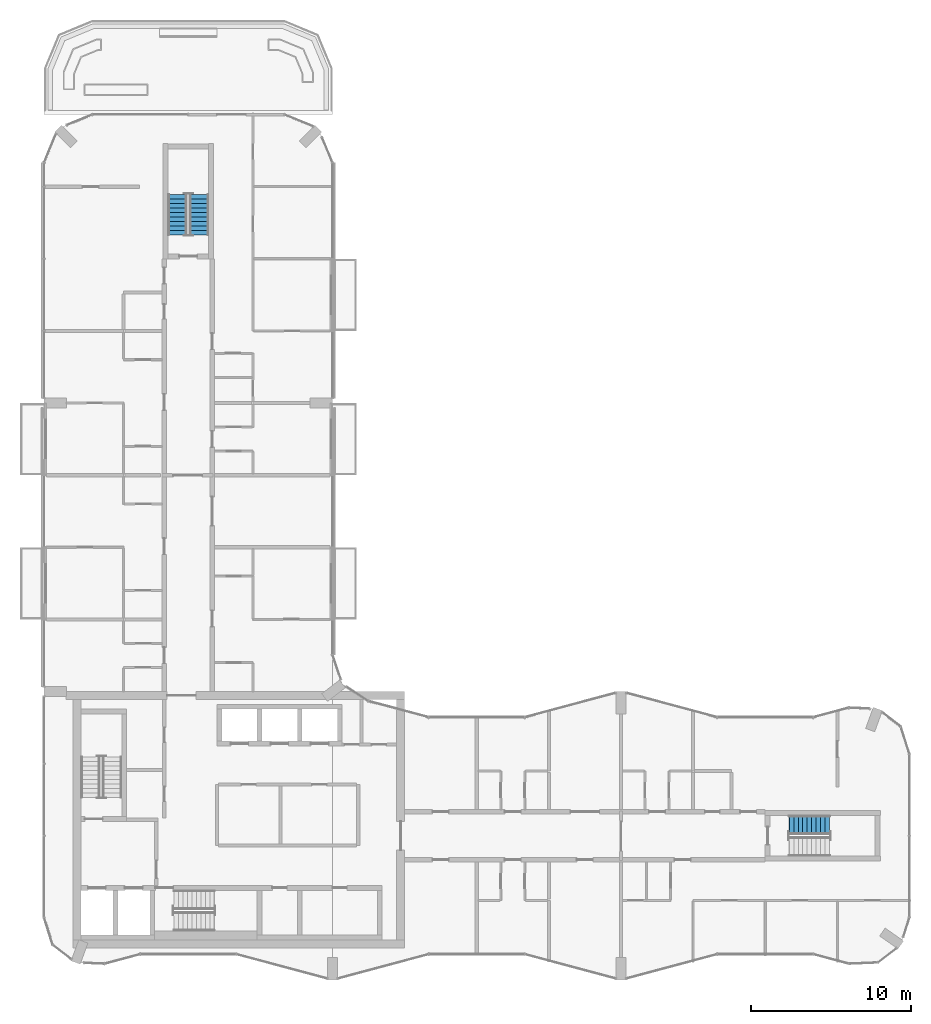
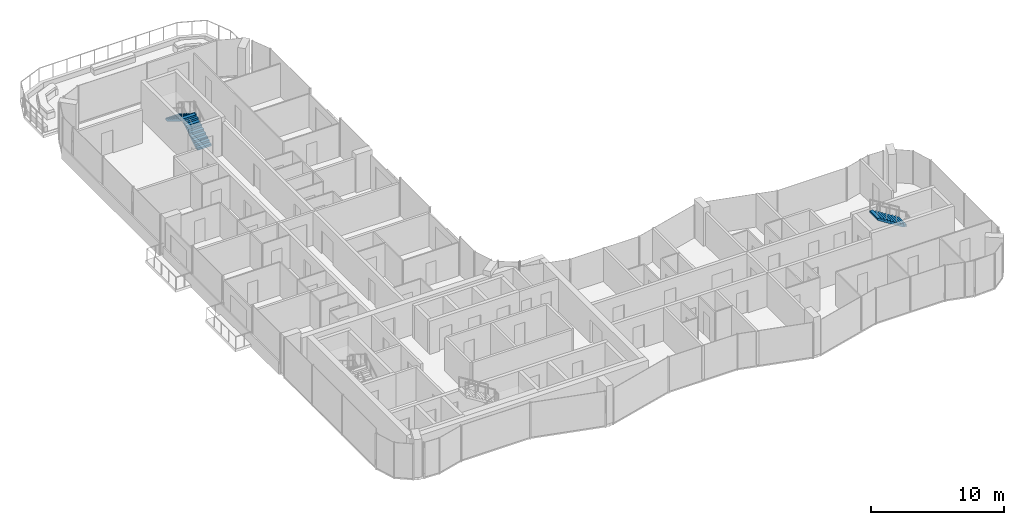
# One storey, part 14 of 17: 3 stair flights, 2 elements without a shape of their own.
"""IFC4 building model written with IfcOpenShell, lengths in metres."""

import ifcopenshell
import ifcopenshell.guid

model = None  # the IFC model being written
_history = None  # IfcOwnerHistory: only IFC2X3 demands one
_inside = {}  # id of a spatial element -> (the spatial element, [elements in it])
_under = {}  # id of a project, library or spatial element -> (it, [spatial elements below it])
_declared = {}  # id of a project -> (the project, [libraries it declares])
_typed = {}  # id of a type object -> (the type object, [elements of that type])
_made_of = {}  # id of a material, layer set ... -> (it, [elements and type objects made of it])


def new_model(schema):
    """Start an empty IFC model of exactly this schema.

    Asked for "IFC4X3", IfcOpenShell would pick the latest addendum, in which some entities
    have other attributes; the version numbers below select the first issue.
    IFC2X3 requires an IfcOwnerHistory on every rooted entity: one is made here for all.
    """
    global model, _history
    if schema == "IFC4X3":
        model = ifcopenshell.file(schema_version=(4, 3, 0, 0))
    else:
        model = ifcopenshell.file(schema=schema)
    _inside.clear()
    _under.clear()
    _declared.clear()
    _typed.clear()
    _made_of.clear()
    _history = None
    if model.schema == "IFC2X3":
        org = make("IfcOrganization", Name="unknown")
        user = make(
            "IfcPersonAndOrganization",
            ThePerson=make("IfcPerson", FamilyName="unknown"),
            TheOrganization=org,
        )
        app = make(
            "IfcApplication",
            ApplicationDeveloper=org,
            Version="unknown",
            ApplicationFullName="unknown",
            ApplicationIdentifier="unknown",
        )
        _history = make(
            "IfcOwnerHistory",
            OwningUser=user,
            OwningApplication=app,
            ChangeAction="ADDED",
            CreationDate=0,
        )
    return model


def make(cls, **values):
    """One entity of the class cls with the attributes given. An attribute that is None is left unset."""
    return model.create_entity(
        cls, **{name: value for name, value in values.items() if value is not None}
    )


def rooted(cls, **values):
    """An entity with a GlobalId (a new one), such as an element, a storey or a relation."""
    return make(cls, GlobalId=ifcopenshell.guid.new(), OwnerHistory=_history, **values)


def si_unit(unit_type, name, prefix=None):
    """IfcSIUnit, for example si_unit("LENGTHUNIT", "METRE", prefix="MILLI")."""
    return make("IfcSIUnit", UnitType=unit_type, Prefix=prefix, Name=name)


def assignment(units):
    """IfcUnitAssignment: the units of a project."""
    return None if units is None else make("IfcUnitAssignment", Units=units)


def point(xyz):
    """IfcCartesianPoint."""
    return None if xyz is None else make("IfcCartesianPoint", Coordinates=xyz)


def direction(xyz):
    """IfcDirection."""
    return None if xyz is None else make("IfcDirection", DirectionRatios=xyz)


def frame(location, z_axis=None, x_axis=None):
    """IfcAxis2Placement3D, a coordinate frame: its origin and axes. An axis left out is left unset."""
    return make(
        "IfcAxis2Placement3D",
        Location=point(location),
        Axis=direction(z_axis),
        RefDirection=direction(x_axis),
    )


def origin():
    """The frame at (0, 0, 0) with its axes left unset."""
    return frame((0.0, 0.0, 0.0))


def place(relative_to, where):
    """IfcLocalPlacement: puts the frame where relative to a parent placement (None: the world)."""
    return make(
        "IfcLocalPlacement", PlacementRelTo=relative_to, RelativePlacement=where
    )


def context(
    kind, dimensions, precision=None, world=None, true_north=None, identifier=None
):
    """IfcGeometricRepresentationContext, for example the 3D "Model" context."""
    return make(
        "IfcGeometricRepresentationContext",
        ContextIdentifier=identifier,
        ContextType=kind,
        CoordinateSpaceDimension=dimensions,
        Precision=precision,
        WorldCoordinateSystem=world,
        TrueNorth=true_north,
    )


def subcontext(parent, identifier, kind, view, scale=None):
    """IfcGeometricRepresentationSubContext, for example "Body" below "Model"."""
    return make(
        "IfcGeometricRepresentationSubContext",
        ContextIdentifier=identifier,
        ContextType=kind,
        ParentContext=parent,
        TargetScale=scale,
        TargetView=view,
    )


def project(units=None, contexts=None):
    """IfcProject with its units and contexts."""
    return rooted(
        "IfcProject",
        Name="project",
        RepresentationContexts=contexts,
        UnitsInContext=assignment(units),
    )


def spatial(cls, under=None, at=None, **own):
    """A site, building, storey or space (cls), placed at a placement, below another one or the project."""
    s = rooted(cls, ObjectPlacement=at, **own)
    if under is not None:
        _under.setdefault(under.id(), (under, []))[1].append(s)
    return s


def polyline(points):
    """IfcPolyline through the points."""
    return make("IfcPolyline", Points=[point(p) for p in points])


def outline(outer, holes=None, kind="AREA"):
    """IfcArbitraryClosedProfileDef: a profile drawn as a closed curve; with holes, ...WithVoids."""
    if holes is None:
        return make("IfcArbitraryClosedProfileDef", ProfileType=kind, OuterCurve=outer)
    return make(
        "IfcArbitraryProfileDefWithVoids",
        ProfileType=kind,
        OuterCurve=outer,
        InnerCurves=holes,
    )


def extrude(swept, where, along, depth):
    """IfcExtrudedAreaSolid: the profile swept, set in the frame where, extruded along a direction by depth."""
    return make(
        "IfcExtrudedAreaSolid",
        SweptArea=swept,
        Position=where,
        ExtrudedDirection=direction(along),
        Depth=depth,
    )


def shape(context_of_items, identifier, shape_type, items):
    """IfcShapeRepresentation: the items that make up one representation, for example the "Body"."""
    return make(
        "IfcShapeRepresentation",
        ContextOfItems=context_of_items,
        RepresentationIdentifier=identifier,
        RepresentationType=shape_type,
        Items=items,
    )


def material(Name=None, Category=None):
    """IfcMaterial."""
    return make("IfcMaterial", Name=Name, Category=Category)


def made_of(thing, what):
    """Note that an element or type object is made of a material, layer set ...; save() writes the relation."""
    if what is not None:
        _made_of.setdefault(what.id(), (what, []))[1].append(thing)
    return thing


def type_object(cls, material=None, **own):
    """A type object (cls), such as IfcWallType, which elements share."""
    return made_of(rooted(cls, **own), material)


def element(
    cls,
    number,
    at=None,
    inside=None,
    cuts=None,
    type_object=None,
    material=None,
    context=None,
    identifier="Body",
    shape_type=None,
    held_by="IfcProductDefinitionShape",
    body=None,
    shapes=None,
    **own,
):
    """One element of the class cls, such as IfcWall. Its Tag is "e" and its number.

    at: its placement. inside: the storey or other place that contains it. cuts: it is an
    opening in that element (IfcRelVoidsElement). A single representation is given by context,
    identifier, shape_type and body (its items); several are given by shapes. held_by: the class
    of the entity that holds the representations. save() writes the other relations.
    """
    e = rooted(cls, Tag="e%d" % number, ObjectPlacement=at, **own)
    if body is not None:
        shapes = [shape(context, identifier, shape_type, body)]
    if shapes is not None:
        e.Representation = make(held_by, Representations=shapes)
    if inside is not None:
        _inside.setdefault(inside.id(), (inside, []))[1].append(e)
    if cuts is not None:
        rooted(
            "IfcRelVoidsElement", RelatingBuildingElement=cuts, RelatedOpeningElement=e
        )
    if type_object is not None:
        _typed.setdefault(type_object.id(), (type_object, []))[1].append(e)
    return made_of(e, material)


def aggregate(whole, parts):
    """IfcRelAggregates: a whole, such as a stair, and the parts it consists of."""
    return rooted("IfcRelAggregates", RelatingObject=whole, RelatedObjects=parts)


def save(model, path):
    """Write the relations noted so far, then the file.

    IfcRelAggregates (storeys below a building ...), IfcRelContainedInSpatialStructure (elements
    in a storey), IfcRelDefinesByType, IfcRelAssociatesMaterial and IfcRelDeclares: one each for
    every whole, place, type object, material and project.
    """
    for whole, parts in _under.values():
        aggregate(whole, parts)
    for where, things in _inside.values():
        rooted(
            "IfcRelContainedInSpatialStructure",
            RelatedElements=things,
            RelatingStructure=where,
        )
    for kind, things in _typed.values():
        rooted("IfcRelDefinesByType", RelatedObjects=things, RelatingType=kind)
    for what, things in _made_of.values():
        rooted("IfcRelAssociatesMaterial", RelatedObjects=things, RelatingMaterial=what)
    for by, libraries in _declared.values():
        rooted("IfcRelDeclares", RelatingContext=by, RelatedDefinitions=libraries)
    model.write(path)


model = new_model("IFC4")

# Units and contexts
model_context = context("Model", 3, precision=1e-05, world=origin(), true_north=direction((0.0, 1.0)))
body_context = subcontext(model_context, "Body", "Model", "MODEL_VIEW")
ifc_project = project(units=[si_unit("LENGTHUNIT", "METRE"), si_unit("AREAUNIT", "SQUARE_METRE"), si_unit("VOLUMEUNIT", "CUBIC_METRE"), si_unit("PLANEANGLEUNIT", "RADIAN"), si_unit("MASSUNIT", "GRAM", prefix="KILO")], contexts=[model_context])

# Site, building, storey
site_placement = place(None, origin())
site = spatial("IfcSite", under=ifc_project, at=site_placement, CompositionType="ELEMENT")
building_placement = place(site_placement, origin())
building = spatial("IfcBuilding", under=site, at=building_placement, Name="Plateau Cross Towers", CompositionType="ELEMENT")
storey_placement = place(building_placement, frame((0.0, 0.0, 225.89990234375)))
storey = spatial("IfcBuildingStorey", under=building, at=storey_placement, Name="L59", CompositionType="ELEMENT", Elevation=225.89990234375)

# Stair, stair flight
ifc_material = material(Name="Concrete C40/50", Category="concrete")
stair_type = type_object("IfcStairType", Name="ST-TWR", PredefinedType="HALF_TURN_STAIR", material=ifc_material)
stair_1_placement = place(storey_placement, origin())
stair_1 = element("IfcStair", 1, at=stair_1_placement, inside=storey, type_object=stair_type, Name="L59 Protected Exit Stair E", PredefinedType="HALF_TURN_STAIR")
stair_flight_type = type_object("IfcStairFlightType", Name="SFL-RC", PredefinedType="STRAIGHT", material=ifc_material)
stair_flight_1_placement = place(storey_placement, frame((49.02001953125, 9.675048828125, 1.75), z_axis=(0.0, 0.0, 1.0), x_axis=(-1.0, 0.0, 0.0)))
stair_flight_1 = element("IfcStairFlight", 2, at=stair_flight_1_placement, type_object=stair_flight_type, Name="ES-E flight 2", NumberOfRisers=10, NumberOfTreads=9, PredefinedType="STRAIGHT", RiserHeight=0.175, TreadLength=0.28, context=body_context, shape_type="SweptSolid", body=[
    extrude(outline(polyline([(-0.0048828125, -0.010009765625), (-0.0048828125, 0.0), (0.0, 0.0), (0.0, 0.175048828125), (0.280029296875, 0.175048828125), (0.280029296875, 0.35009765625), (0.56005859375, 0.35009765625), (0.56005859375, 0.52490234375), (0.840087890625, 0.52490234375), (0.840087890625, 0.699951171875), (1.1201171875, 0.699951171875), (1.1201171875, 0.875), (1.39990234375, 0.875), (1.39990234375, 1.050048828125), (1.679931640625, 1.050048828125), (1.679931640625, 1.22509765625), (1.9599609375, 1.22509765625), (1.9599609375, 1.39990234375), (2.239990234375, 1.39990234375), (2.239990234375, 1.574951171875), (2.52001953125, 1.574951171875), (2.52490234375, 1.56494140625), (2.52490234375, 1.398193359375), (2.52001953125, 1.398193359375), (0.28271484375, 0.0), (0.02001953125, 0.0), (0.02001953125, -0.010009765625), (-0.0048828125, -0.010009765625)])), frame((0.0, 0.60009765625, 0.0), z_axis=(0.0, -1.0, 0.0), x_axis=(1.0, 0.0, 0.0)), (0.0, 0.0, 1.0), 1.199951171875),
])
aggregate(stair_1, [stair_flight_1])

# Stair, stair flights
stair_2_placement = place(storey_placement, origin())
stair_2 = element("IfcStair", 3, at=stair_2_placement, inside=storey, type_object=stair_type, Name="L59 Protected Exit Stair N", PredefinedType="HALF_TURN_STAIR")
stair_flight_2_placement = place(storey_placement, frame((9.675048828125, 46.5, 0.0), z_axis=(0.0, 0.0, 1.0), x_axis=(0.0, 1.0, 0.0)))
stair_flight_2 = element("IfcStairFlight", 4, at=stair_flight_2_placement, type_object=stair_flight_type, Name="ES-N flight 1", NumberOfRisers=10, NumberOfTreads=9, PredefinedType="STRAIGHT", RiserHeight=0.175, TreadLength=0.28, context=body_context, shape_type="SweptSolid", body=[
    extrude(outline(polyline([(-0.0048828125, -0.010009765625), (-0.0048828125, 0.0), (0.0, 0.0), (0.0, 0.175048828125), (0.280029296875, 0.175048828125), (0.280029296875, 0.35009765625), (0.56005859375, 0.35009765625), (0.56005859375, 0.52490234375), (0.840087890625, 0.52490234375), (0.840087890625, 0.699951171875), (1.1201171875, 0.699951171875), (1.1201171875, 0.875), (1.39990234375, 0.875), (1.39990234375, 1.050048828125), (1.679931640625, 1.050048828125), (1.679931640625, 1.22509765625), (1.9599609375, 1.22509765625), (1.9599609375, 1.39990234375), (2.239990234375, 1.39990234375), (2.239990234375, 1.574951171875), (2.52001953125, 1.574951171875), (2.52490234375, 1.56494140625), (2.52490234375, 1.398193359375), (2.52001953125, 1.398193359375), (0.28271484375, 0.0), (0.02001953125, 0.0), (0.02001953125, -0.010009765625), (-0.0048828125, -0.010009765625)])), frame((0.0, 0.60009765625, 0.0), z_axis=(0.0, -1.0, 0.0), x_axis=(1.0, 0.0, 0.0)), (0.0, 0.0, 1.0), 1.199951171875),
])
stair_flight_3_placement = place(storey_placement, frame((8.324951171875, 49.02001953125, 1.75), z_axis=(0.0, 0.0, 1.0), x_axis=(0.0, -1.0, 0.0)))
stair_flight_3 = element("IfcStairFlight", 5, at=stair_flight_3_placement, type_object=stair_flight_type, Name="ES-N flight 2", NumberOfRisers=10, NumberOfTreads=9, PredefinedType="STRAIGHT", RiserHeight=0.175, TreadLength=0.28, context=body_context, shape_type="SweptSolid", body=[
    extrude(outline(polyline([(-0.0048828125, -0.010009765625), (-0.0048828125, 0.0), (0.0, 0.0), (0.0, 0.175048828125), (0.280029296875, 0.175048828125), (0.280029296875, 0.35009765625), (0.56005859375, 0.35009765625), (0.56005859375, 0.52490234375), (0.840087890625, 0.52490234375), (0.840087890625, 0.699951171875), (1.1201171875, 0.699951171875), (1.1201171875, 0.875), (1.39990234375, 0.875), (1.39990234375, 1.050048828125), (1.679931640625, 1.050048828125), (1.679931640625, 1.22509765625), (1.9599609375, 1.22509765625), (1.9599609375, 1.39990234375), (2.239990234375, 1.39990234375), (2.239990234375, 1.574951171875), (2.52001953125, 1.574951171875), (2.52490234375, 1.56494140625), (2.52490234375, 1.398193359375), (2.52001953125, 1.398193359375), (0.28271484375, 0.0), (0.02001953125, 0.0), (0.02001953125, -0.010009765625), (-0.0048828125, -0.010009765625)])), frame((0.0, 0.60009765625, 0.0), z_axis=(0.0, -1.0, 0.0), x_axis=(1.0, 0.0, 0.0)), (0.0, 0.0, 1.0), 1.199951171875),
])
aggregate(stair_2, [stair_flight_2, stair_flight_3])

save(model, "model.ifc")
